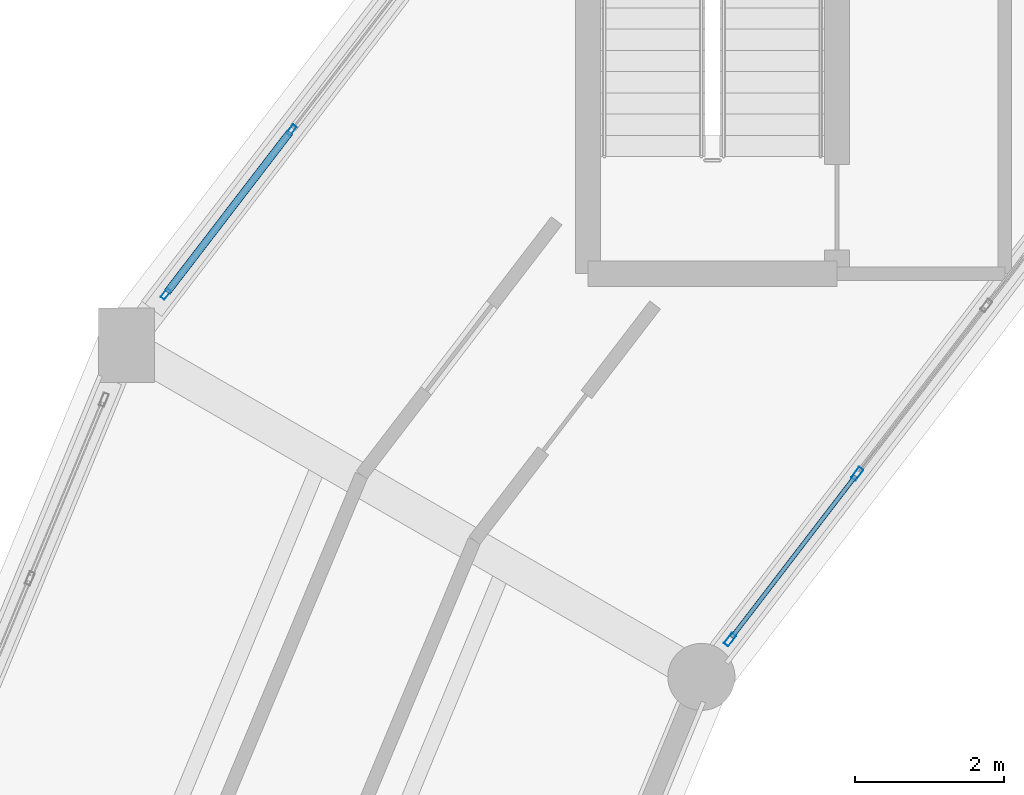
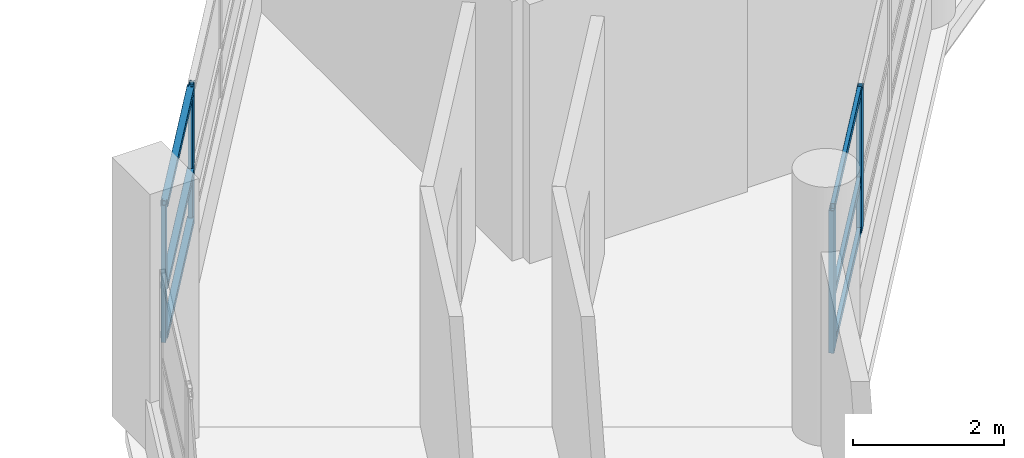
# One storey, part 50 of 128: 10 members, 2 elements without a shape of their own.
"""IFC4 building model written with IfcOpenShell, lengths in metres."""

import ifcopenshell
import ifcopenshell.guid

model = None  # the IFC model being written
_history = None  # IfcOwnerHistory: only IFC2X3 demands one
_inside = {}  # id of a spatial element -> (the spatial element, [elements in it])
_under = {}  # id of a project, library or spatial element -> (it, [spatial elements below it])
_declared = {}  # id of a project -> (the project, [libraries it declares])
_typed = {}  # id of a type object -> (the type object, [elements of that type])
_made_of = {}  # id of a material, layer set ... -> (it, [elements and type objects made of it])


def new_model(schema):
    """Start an empty IFC model of exactly this schema.

    Asked for "IFC4X3", IfcOpenShell would pick the latest addendum, in which some entities
    have other attributes; the version numbers below select the first issue.
    IFC2X3 requires an IfcOwnerHistory on every rooted entity: one is made here for all.
    """
    global model, _history
    if schema == "IFC4X3":
        model = ifcopenshell.file(schema_version=(4, 3, 0, 0))
    else:
        model = ifcopenshell.file(schema=schema)
    _inside.clear()
    _under.clear()
    _declared.clear()
    _typed.clear()
    _made_of.clear()
    _history = None
    if model.schema == "IFC2X3":
        org = make("IfcOrganization", Name="unknown")
        user = make(
            "IfcPersonAndOrganization",
            ThePerson=make("IfcPerson", FamilyName="unknown"),
            TheOrganization=org,
        )
        app = make(
            "IfcApplication",
            ApplicationDeveloper=org,
            Version="unknown",
            ApplicationFullName="unknown",
            ApplicationIdentifier="unknown",
        )
        _history = make(
            "IfcOwnerHistory",
            OwningUser=user,
            OwningApplication=app,
            ChangeAction="ADDED",
            CreationDate=0,
        )
    return model


def make(cls, **values):
    """One entity of the class cls with the attributes given. An attribute that is None is left unset."""
    return model.create_entity(
        cls, **{name: value for name, value in values.items() if value is not None}
    )


def rooted(cls, **values):
    """An entity with a GlobalId (a new one), such as an element, a storey or a relation."""
    return make(cls, GlobalId=ifcopenshell.guid.new(), OwnerHistory=_history, **values)


def si_unit(unit_type, name, prefix=None):
    """IfcSIUnit, for example si_unit("LENGTHUNIT", "METRE", prefix="MILLI")."""
    return make("IfcSIUnit", UnitType=unit_type, Prefix=prefix, Name=name)


def assignment(units):
    """IfcUnitAssignment: the units of a project."""
    return None if units is None else make("IfcUnitAssignment", Units=units)


def point(xyz):
    """IfcCartesianPoint."""
    return None if xyz is None else make("IfcCartesianPoint", Coordinates=xyz)


def direction(xyz):
    """IfcDirection."""
    return None if xyz is None else make("IfcDirection", DirectionRatios=xyz)


def frame(location, z_axis=None, x_axis=None):
    """IfcAxis2Placement3D, a coordinate frame: its origin and axes. An axis left out is left unset."""
    return make(
        "IfcAxis2Placement3D",
        Location=point(location),
        Axis=direction(z_axis),
        RefDirection=direction(x_axis),
    )


def frame_2d(location, x_axis=None):
    """IfcAxis2Placement2D, a coordinate frame in the plane: its origin and x axis."""
    return make(
        "IfcAxis2Placement2D", Location=point(location), RefDirection=direction(x_axis)
    )


def origin():
    """The frame at (0, 0, 0) with its axes left unset."""
    return frame((0.0, 0.0, 0.0))


def origin_2d():
    """The frame at (0, 0) in the plane with its x axis left unset."""
    return frame_2d((0.0, 0.0))


def place(relative_to, where):
    """IfcLocalPlacement: puts the frame where relative to a parent placement (None: the world)."""
    return make(
        "IfcLocalPlacement", PlacementRelTo=relative_to, RelativePlacement=where
    )


def context(
    kind, dimensions, precision=None, world=None, true_north=None, identifier=None
):
    """IfcGeometricRepresentationContext, for example the 3D "Model" context."""
    return make(
        "IfcGeometricRepresentationContext",
        ContextIdentifier=identifier,
        ContextType=kind,
        CoordinateSpaceDimension=dimensions,
        Precision=precision,
        WorldCoordinateSystem=world,
        TrueNorth=true_north,
    )


def subcontext(parent, identifier, kind, view, scale=None):
    """IfcGeometricRepresentationSubContext, for example "Body" below "Model"."""
    return make(
        "IfcGeometricRepresentationSubContext",
        ContextIdentifier=identifier,
        ContextType=kind,
        ParentContext=parent,
        TargetScale=scale,
        TargetView=view,
    )


def project(units=None, contexts=None):
    """IfcProject with its units and contexts."""
    return rooted(
        "IfcProject",
        Name="project",
        RepresentationContexts=contexts,
        UnitsInContext=assignment(units),
    )


def spatial(cls, under=None, at=None, **own):
    """A site, building, storey or space (cls), placed at a placement, below another one or the project."""
    s = rooted(cls, ObjectPlacement=at, **own)
    if under is not None:
        _under.setdefault(under.id(), (under, []))[1].append(s)
    return s


def profile(cls, at=None, kind="AREA", **sizes):
    """A parametric profile (cls). Its sizes go by their IFC names, for example OverallWidth=200.0."""
    return make(cls, ProfileType=kind, Position=at, **sizes)


def hollow_rectangle(**sizes):
    """IfcRectangleHollowProfileDef."""
    return profile("IfcRectangleHollowProfileDef", **sizes)


def extrude(swept, where, along, depth):
    """IfcExtrudedAreaSolid: the profile swept, set in the frame where, extruded along a direction by depth."""
    return make(
        "IfcExtrudedAreaSolid",
        SweptArea=swept,
        Position=where,
        ExtrudedDirection=direction(along),
        Depth=depth,
    )


def shape(context_of_items, identifier, shape_type, items):
    """IfcShapeRepresentation: the items that make up one representation, for example the "Body"."""
    return make(
        "IfcShapeRepresentation",
        ContextOfItems=context_of_items,
        RepresentationIdentifier=identifier,
        RepresentationType=shape_type,
        Items=items,
    )


def material(Name=None, Category=None):
    """IfcMaterial."""
    return make("IfcMaterial", Name=Name, Category=Category)


def layer(
    of_material, thickness, ventilated=None, Name=None, Category=None, Priority=None
):
    """IfcMaterialLayer: one layer of a wall or slab, of a material (None: an air gap)."""
    return make(
        "IfcMaterialLayer",
        Material=of_material,
        LayerThickness=thickness,
        IsVentilated=ventilated,
        Name=Name,
        Category=Category,
        Priority=Priority,
    )


def layer_set(layers, Name=None):
    """IfcMaterialLayerSet."""
    return make("IfcMaterialLayerSet", MaterialLayers=layers, LayerSetName=Name)


def material_profile(
    of_material, cross_section, Name=None, Category=None, Priority=None
):
    """IfcMaterialProfile: a cross section and its material."""
    return make(
        "IfcMaterialProfile",
        Name=Name,
        Material=of_material,
        Profile=cross_section,
        Priority=Priority,
        Category=Category,
    )


def profile_set(profiles, Name=None, composite=None):
    """IfcMaterialProfileSet."""
    return make(
        "IfcMaterialProfileSet",
        Name=Name,
        MaterialProfiles=profiles,
        CompositeProfile=composite,
    )


def made_of(thing, what):
    """Note that an element or type object is made of a material, layer set ...; save() writes the relation."""
    if what is not None:
        _made_of.setdefault(what.id(), (what, []))[1].append(thing)
    return thing


def type_object(cls, material=None, **own):
    """A type object (cls), such as IfcWallType, which elements share."""
    return made_of(rooted(cls, **own), material)


def element(
    cls,
    number,
    at=None,
    inside=None,
    cuts=None,
    type_object=None,
    material=None,
    context=None,
    identifier="Body",
    shape_type=None,
    held_by="IfcProductDefinitionShape",
    body=None,
    shapes=None,
    **own,
):
    """One element of the class cls, such as IfcWall. Its Tag is "e" and its number.

    at: its placement. inside: the storey or other place that contains it. cuts: it is an
    opening in that element (IfcRelVoidsElement). A single representation is given by context,
    identifier, shape_type and body (its items); several are given by shapes. held_by: the class
    of the entity that holds the representations. save() writes the other relations.
    """
    e = rooted(cls, Tag="e%d" % number, ObjectPlacement=at, **own)
    if body is not None:
        shapes = [shape(context, identifier, shape_type, body)]
    if shapes is not None:
        e.Representation = make(held_by, Representations=shapes)
    if inside is not None:
        _inside.setdefault(inside.id(), (inside, []))[1].append(e)
    if cuts is not None:
        rooted(
            "IfcRelVoidsElement", RelatingBuildingElement=cuts, RelatedOpeningElement=e
        )
    if type_object is not None:
        _typed.setdefault(type_object.id(), (type_object, []))[1].append(e)
    return made_of(e, material)


def aggregate(whole, parts):
    """IfcRelAggregates: a whole, such as a stair, and the parts it consists of."""
    return rooted("IfcRelAggregates", RelatingObject=whole, RelatedObjects=parts)


def save(model, path):
    """Write the relations noted so far, then the file.

    IfcRelAggregates (storeys below a building ...), IfcRelContainedInSpatialStructure (elements
    in a storey), IfcRelDefinesByType, IfcRelAssociatesMaterial and IfcRelDeclares: one each for
    every whole, place, type object, material and project.
    """
    for whole, parts in _under.values():
        aggregate(whole, parts)
    for where, things in _inside.values():
        rooted(
            "IfcRelContainedInSpatialStructure",
            RelatedElements=things,
            RelatingStructure=where,
        )
    for kind, things in _typed.values():
        rooted("IfcRelDefinesByType", RelatedObjects=things, RelatingType=kind)
    for what, things in _made_of.values():
        rooted("IfcRelAssociatesMaterial", RelatedObjects=things, RelatingMaterial=what)
    for by, libraries in _declared.values():
        rooted("IfcRelDeclares", RelatingContext=by, RelatedDefinitions=libraries)
    model.write(path)


model = new_model("IFC4")

# Units and contexts
model_context = context("Model", 3, precision=1e-05, world=origin(), true_north=direction((0.0, 1.0)))
body_context = subcontext(model_context, "Body", "Model", "MODEL_VIEW")
ifc_project = project(units=[si_unit("LENGTHUNIT", "METRE"), si_unit("AREAUNIT", "SQUARE_METRE"), si_unit("VOLUMEUNIT", "CUBIC_METRE"), si_unit("PLANEANGLEUNIT", "RADIAN"), si_unit("MASSUNIT", "GRAM", prefix="KILO")], contexts=[model_context])

# Site, building, storey
site_placement = place(None, origin())
site = spatial("IfcSite", under=ifc_project, at=site_placement, CompositionType="ELEMENT")
building_placement = place(site_placement, origin())
building = spatial("IfcBuilding", under=site, at=building_placement, Name="Vespera Passage Community Centre", CompositionType="ELEMENT")
storey_placement = place(building_placement, frame((0.0, 0.0, 4.5)))
storey = spatial("IfcBuildingStorey", under=building, at=storey_placement, Name="L01", CompositionType="ELEMENT", Elevation=4.5)

# Curtain wall, members
ifc_material_1 = material(Name="Anodized aluminium 6063-T6", Category="aluminium")
ifc_layer_1 = layer(ifc_material_1, 0.159912109375)
ifc_layer_set_1 = layer_set([ifc_layer_1], Name="Anodized aluminium 6063-T6")
curtain_wall_type_1 = type_object("IfcCurtainWallType", Name="CW-18E", PredefinedType="NOTDEFINED", material=ifc_layer_set_1)
curtain_wall_1_placement = place(storey_placement, origin())
curtain_wall_1 = element("IfcCurtainWall", 1, at=curtain_wall_1_placement, inside=storey, type_object=curtain_wall_type_1, Name="V4 L01 Outer Ribbon Curtain Wall 9", PredefinedType="NOTDEFINED")
ifc_material_2 = material(Name="Anodized aluminium 6063-T6", Category="aluminium")
ifc_material_profile_1 = material_profile(ifc_material_2, hollow_rectangle(XDim=0.06494140625, YDim=0.14990234375, WallThickness=0.00390625, InnerFilletRadius=0.001953125, OuterFilletRadius=0.00390625, at=origin_2d()), Name="ALU150X65X4")
ifc_profile_set_1 = profile_set([ifc_material_profile_1], Name="Anodized aluminium 6063-T6")
member_type_1 = type_object("IfcMemberType", Name="MB-CWM-150E", PredefinedType="MULLION", material=ifc_profile_set_1)
member_1_placement = place(storey_placement, frame((38.601806640625, 89.235107421875, 0.820068359375), z_axis=(0.0, 0.0, 1.0), x_axis=(-0.793350429062, 0.608765222978, 0.0)))
member_1 = element("IfcMember", 2, at=member_1_placement, type_object=member_type_1, Name="CW-18E mullion 1", PredefinedType="MULLION", context=body_context, shape_type="SweptSolid", body=[
    extrude(hollow_rectangle(XDim=0.06494140625, YDim=0.14990234375, WallThickness=0.00390625, InnerFilletRadius=0.001953125, OuterFilletRadius=0.00390625, at=origin_2d()), origin(), (0.0, 0.0, 1.0), 2.2255859375),
])
member_2_placement = place(storey_placement, frame((40.287109375, 91.431396484375, 0.820068359375), z_axis=(0.0, 0.0, 1.0), x_axis=(-0.793350429062, 0.608765222978, 0.0)))
member_2 = element("IfcMember", 3, at=member_2_placement, type_object=member_type_1, Name="CW-18E mullion 2", PredefinedType="MULLION", context=body_context, shape_type="SweptSolid", body=[
    extrude(hollow_rectangle(XDim=0.06494140625, YDim=0.14990234375, WallThickness=0.00390625, InnerFilletRadius=0.001953125, OuterFilletRadius=0.00390625, at=origin_2d()), origin(), (0.0, 0.0, 1.0), 2.2255859375),
])

ifc_material_3 = material(Name="Anodized aluminium 6063-T6", Category="aluminium")
ifc_layer_2 = layer(ifc_material_3, 0.159912109375)
ifc_layer_set_2 = layer_set([ifc_layer_2], Name="Anodized aluminium 6063-T6")
curtain_wall_type_2 = type_object("IfcCurtainWallType", Name="CW-19E", PredefinedType="NOTDEFINED", material=ifc_layer_set_2)
curtain_wall_2_placement = place(storey_placement, origin())
curtain_wall_2 = element("IfcCurtainWall", 4, at=curtain_wall_2_placement, inside=storey, type_object=curtain_wall_type_2, Name="V4 L01 Inner Court Curtain Wall 9", PredefinedType="NOTDEFINED")
ifc_material_4 = material(Name="Anodized aluminium 6063-T6", Category="aluminium")
ifc_material_profile_2 = material_profile(ifc_material_4, hollow_rectangle(XDim=0.074951171875, YDim=0.179931640625, WallThickness=0.0048828125, InnerFilletRadius=0.00244140625, OuterFilletRadius=0.0048828125, at=origin_2d()), Name="ALU180X75X5")
ifc_profile_set_2 = profile_set([ifc_material_profile_2], Name="Anodized aluminium 6063-T6")
member_type_2 = type_object("IfcMemberType", Name="MB-CWM-180E", PredefinedType="MULLION", material=ifc_profile_set_2)
member_3_placement = place(storey_placement, frame((47.874755859375, 86.824951171875, 0.820068359375), z_axis=(0.0, 0.0, 1.0), x_axis=(0.793358205999, -0.608755087843, 0.0)))
member_3 = element("IfcMember", 5, at=member_3_placement, type_object=member_type_2, Name="CW-19E mullion 3", PredefinedType="MULLION", context=body_context, shape_type="SweptSolid", body=[
    extrude(hollow_rectangle(XDim=0.074951171875, YDim=0.179931640625, WallThickness=0.0048828125, InnerFilletRadius=0.00244140625, OuterFilletRadius=0.0048828125, at=origin_2d()), origin(), (0.0, 0.0, 1.0), 2.309326171875),
])
member_4_placement = place(storey_placement, frame((46.167724609375, 84.600341796875, 0.820068359375), z_axis=(0.0, 0.0, 1.0), x_axis=(0.793358205999, -0.608755087843, 0.0)))
member_4 = element("IfcMember", 6, at=member_4_placement, type_object=member_type_2, Name="CW-19E mullion 4", PredefinedType="MULLION", context=body_context, shape_type="SweptSolid", body=[
    extrude(hollow_rectangle(XDim=0.074951171875, YDim=0.179931640625, WallThickness=0.0048828125, InnerFilletRadius=0.00244140625, OuterFilletRadius=0.0048828125, at=origin_2d()), origin(), (0.0, 0.0, 1.0), 2.309326171875),
])

# Member
ifc_material_5 = material(Name="Anodized aluminium 6063-T6", Category="aluminium")
ifc_material_profile_3 = material_profile(ifc_material_5, hollow_rectangle(XDim=0.10009765625, YDim=0.10009765625, WallThickness=0.00390625, InnerFilletRadius=0.001953125, OuterFilletRadius=0.00390625, at=origin_2d()), Name="ALU100X100X4")
ifc_profile_set_3 = profile_set([ifc_material_profile_3], Name="Anodized aluminium 6063-T6")
member_type_3 = type_object("IfcMemberType", Name="MB-CWT-100E", PredefinedType="USERDEFINED", material=ifc_profile_set_3)
member_5_placement = place(storey_placement, frame((38.62158203125, 89.260986328125, 0.8701171875), z_axis=(0.608806888702, 0.793318455772, 0.0), x_axis=(-0.793318455772, 0.608806888702, 0.0)))
member_5 = element("IfcMember", 7, at=member_5_placement, type_object=member_type_3, Name="CW-18E transom 1.1", ObjectType="TRANSOM", PredefinedType="USERDEFINED", context=body_context, shape_type="SweptSolid", body=[
    extrude(hollow_rectangle(XDim=0.10009765625, YDim=0.10009765625, WallThickness=0.00390625, InnerFilletRadius=0.001953125, OuterFilletRadius=0.00390625, at=origin_2d()), origin(), (0.0, 0.0, 1.0), 2.703125),
])

member_6_placement = place(storey_placement, frame((38.62158203125, 89.260986328125, 1.669921875), z_axis=(0.608806888702, 0.793318455772, 0.0), x_axis=(-0.793318455772, 0.608806888702, 0.0)))
member_6 = element("IfcMember", 8, at=member_6_placement, type_object=member_type_3, Name="CW-18E transom 1.2", ObjectType="TRANSOM", PredefinedType="USERDEFINED", context=body_context, shape_type="SweptSolid", body=[
    extrude(hollow_rectangle(XDim=0.10009765625, YDim=0.10009765625, WallThickness=0.00390625, InnerFilletRadius=0.001953125, OuterFilletRadius=0.00390625, at=origin_2d()), origin(), (0.0, 0.0, 1.0), 2.703125),
])

member_7_placement = place(storey_placement, frame((38.62158203125, 89.260986328125, 2.99560546875), z_axis=(0.608806888702, 0.793318455772, 0.0), x_axis=(-0.793318455772, 0.608806888702, 0.0)))
member_7 = element("IfcMember", 9, at=member_7_placement, type_object=member_type_3, Name="CW-18E transom 1.3", ObjectType="TRANSOM", PredefinedType="USERDEFINED", context=body_context, shape_type="SweptSolid", body=[
    extrude(hollow_rectangle(XDim=0.10009765625, YDim=0.10009765625, WallThickness=0.00390625, InnerFilletRadius=0.001953125, OuterFilletRadius=0.00390625, at=origin_2d()), origin(), (0.0, 0.0, 1.0), 2.703125),
])

aggregate(curtain_wall_1, [member_1, member_2, member_5, member_6, member_7])

ifc_material_6 = material(Name="Anodized aluminium 6063-T6", Category="aluminium")
ifc_material_profile_4 = material_profile(ifc_material_6, hollow_rectangle(XDim=0.06005859375, YDim=0.1201171875, WallThickness=0.00390625, InnerFilletRadius=0.001953125, OuterFilletRadius=0.00390625, at=origin_2d()), Name="ALU120X60X4")
ifc_profile_set_4 = profile_set([ifc_material_profile_4], Name="Anodized aluminium 6063-T6")
member_type_4 = type_object("IfcMemberType", Name="MB-CWT-120E", PredefinedType="USERDEFINED", material=ifc_profile_set_4)
member_8_placement = place(storey_placement, frame((47.85205078125, 86.795166015625, 0.85009765625), z_axis=(-0.608780813839, -0.793338465411, 0.0), x_axis=(0.793338465411, -0.608780813839, 0.0)))
member_8 = element("IfcMember", 10, at=member_8_placement, type_object=member_type_4, Name="CW-19E transom 3.1", ObjectType="TRANSOM", PredefinedType="USERDEFINED", context=body_context, shape_type="SweptSolid", body=[
    extrude(hollow_rectangle(XDim=0.06005859375, YDim=0.1201171875, WallThickness=0.00390625, InnerFilletRadius=0.001953125, OuterFilletRadius=0.00390625, at=origin_2d()), origin(), (0.0, 0.0, 1.0), 2.72900390625),
])

member_9_placement = place(storey_placement, frame((47.85205078125, 86.795166015625, 1.669921875), z_axis=(-0.608780813839, -0.793338465411, 0.0), x_axis=(0.793338465411, -0.608780813839, 0.0)))
member_9 = element("IfcMember", 11, at=member_9_placement, type_object=member_type_4, Name="CW-19E transom 3.2", ObjectType="TRANSOM", PredefinedType="USERDEFINED", context=body_context, shape_type="SweptSolid", body=[
    extrude(hollow_rectangle(XDim=0.06005859375, YDim=0.1201171875, WallThickness=0.00390625, InnerFilletRadius=0.001953125, OuterFilletRadius=0.00390625, at=origin_2d()), origin(), (0.0, 0.0, 1.0), 2.72900390625),
])

member_10_placement = place(storey_placement, frame((47.85205078125, 86.795166015625, 3.099609375), z_axis=(-0.608780813839, -0.793338465411, 0.0), x_axis=(0.793338465411, -0.608780813839, 0.0)))
member_10 = element("IfcMember", 12, at=member_10_placement, type_object=member_type_4, Name="CW-19E transom 3.3", ObjectType="TRANSOM", PredefinedType="USERDEFINED", context=body_context, shape_type="SweptSolid", body=[
    extrude(hollow_rectangle(XDim=0.06005859375, YDim=0.1201171875, WallThickness=0.00390625, InnerFilletRadius=0.001953125, OuterFilletRadius=0.00390625, at=origin_2d()), origin(), (0.0, 0.0, 1.0), 2.72900390625),
])

aggregate(curtain_wall_2, [member_3, member_4, member_8, member_9, member_10])

save(model, "model.ifc")
